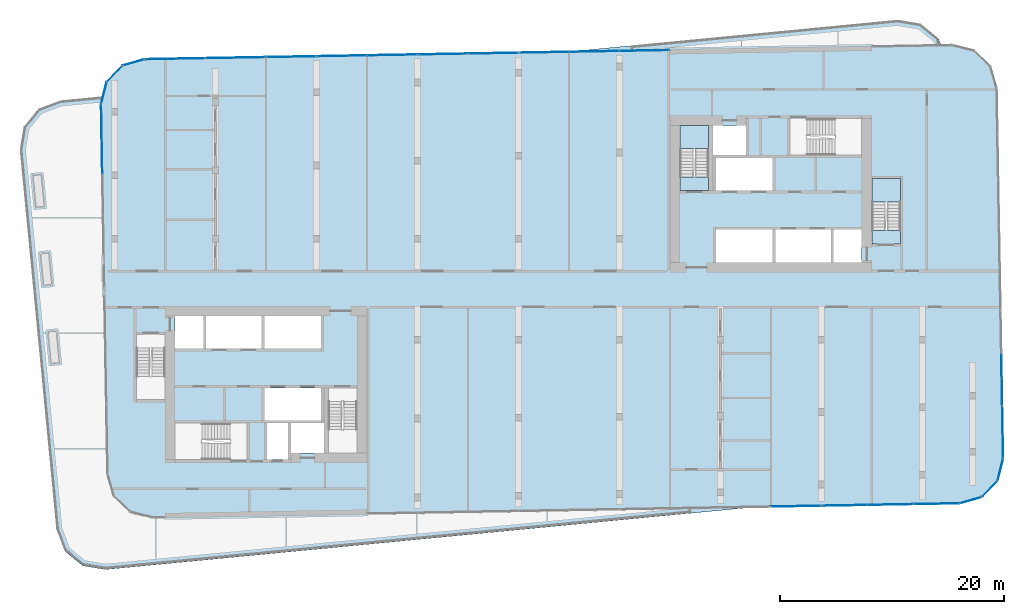
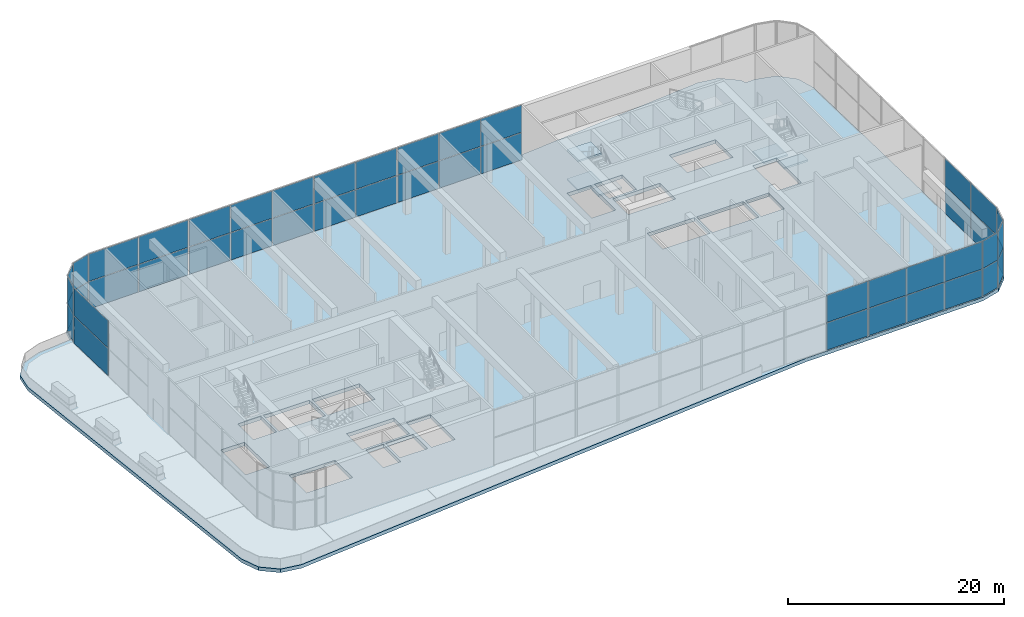
# One storey, part 10 of 24: 46 plates, 6 slabs, 16 elements without a shape of their own.
"""IFC4 building model written with IfcOpenShell, lengths in metres."""

import ifcopenshell
import ifcopenshell.guid

model = None  # the IFC model being written
_history = None  # IfcOwnerHistory: only IFC2X3 demands one
_inside = {}  # id of a spatial element -> (the spatial element, [elements in it])
_under = {}  # id of a project, library or spatial element -> (it, [spatial elements below it])
_declared = {}  # id of a project -> (the project, [libraries it declares])
_typed = {}  # id of a type object -> (the type object, [elements of that type])
_made_of = {}  # id of a material, layer set ... -> (it, [elements and type objects made of it])


def new_model(schema):
    """Start an empty IFC model of exactly this schema.

    Asked for "IFC4X3", IfcOpenShell would pick the latest addendum, in which some entities
    have other attributes; the version numbers below select the first issue.
    IFC2X3 requires an IfcOwnerHistory on every rooted entity: one is made here for all.
    """
    global model, _history
    if schema == "IFC4X3":
        model = ifcopenshell.file(schema_version=(4, 3, 0, 0))
    else:
        model = ifcopenshell.file(schema=schema)
    _inside.clear()
    _under.clear()
    _declared.clear()
    _typed.clear()
    _made_of.clear()
    _history = None
    if model.schema == "IFC2X3":
        org = make("IfcOrganization", Name="unknown")
        user = make(
            "IfcPersonAndOrganization",
            ThePerson=make("IfcPerson", FamilyName="unknown"),
            TheOrganization=org,
        )
        app = make(
            "IfcApplication",
            ApplicationDeveloper=org,
            Version="unknown",
            ApplicationFullName="unknown",
            ApplicationIdentifier="unknown",
        )
        _history = make(
            "IfcOwnerHistory",
            OwningUser=user,
            OwningApplication=app,
            ChangeAction="ADDED",
            CreationDate=0,
        )
    return model


def make(cls, **values):
    """One entity of the class cls with the attributes given. An attribute that is None is left unset."""
    return model.create_entity(
        cls, **{name: value for name, value in values.items() if value is not None}
    )


def rooted(cls, **values):
    """An entity with a GlobalId (a new one), such as an element, a storey or a relation."""
    return make(cls, GlobalId=ifcopenshell.guid.new(), OwnerHistory=_history, **values)


def si_unit(unit_type, name, prefix=None):
    """IfcSIUnit, for example si_unit("LENGTHUNIT", "METRE", prefix="MILLI")."""
    return make("IfcSIUnit", UnitType=unit_type, Prefix=prefix, Name=name)


def assignment(units):
    """IfcUnitAssignment: the units of a project."""
    return None if units is None else make("IfcUnitAssignment", Units=units)


def point(xyz):
    """IfcCartesianPoint."""
    return None if xyz is None else make("IfcCartesianPoint", Coordinates=xyz)


def direction(xyz):
    """IfcDirection."""
    return None if xyz is None else make("IfcDirection", DirectionRatios=xyz)


def frame(location, z_axis=None, x_axis=None):
    """IfcAxis2Placement3D, a coordinate frame: its origin and axes. An axis left out is left unset."""
    return make(
        "IfcAxis2Placement3D",
        Location=point(location),
        Axis=direction(z_axis),
        RefDirection=direction(x_axis),
    )


def frame_2d(location, x_axis=None):
    """IfcAxis2Placement2D, a coordinate frame in the plane: its origin and x axis."""
    return make(
        "IfcAxis2Placement2D", Location=point(location), RefDirection=direction(x_axis)
    )


def origin():
    """The frame at (0, 0, 0) with its axes left unset."""
    return frame((0.0, 0.0, 0.0))


def origin_2d():
    """The frame at (0, 0) in the plane with its x axis left unset."""
    return frame_2d((0.0, 0.0))


def place(relative_to, where):
    """IfcLocalPlacement: puts the frame where relative to a parent placement (None: the world)."""
    return make(
        "IfcLocalPlacement", PlacementRelTo=relative_to, RelativePlacement=where
    )


def context(
    kind, dimensions, precision=None, world=None, true_north=None, identifier=None
):
    """IfcGeometricRepresentationContext, for example the 3D "Model" context."""
    return make(
        "IfcGeometricRepresentationContext",
        ContextIdentifier=identifier,
        ContextType=kind,
        CoordinateSpaceDimension=dimensions,
        Precision=precision,
        WorldCoordinateSystem=world,
        TrueNorth=true_north,
    )


def subcontext(parent, identifier, kind, view, scale=None):
    """IfcGeometricRepresentationSubContext, for example "Body" below "Model"."""
    return make(
        "IfcGeometricRepresentationSubContext",
        ContextIdentifier=identifier,
        ContextType=kind,
        ParentContext=parent,
        TargetScale=scale,
        TargetView=view,
    )


def project(units=None, contexts=None):
    """IfcProject with its units and contexts."""
    return rooted(
        "IfcProject",
        Name="project",
        RepresentationContexts=contexts,
        UnitsInContext=assignment(units),
    )


def spatial(cls, under=None, at=None, **own):
    """A site, building, storey or space (cls), placed at a placement, below another one or the project."""
    s = rooted(cls, ObjectPlacement=at, **own)
    if under is not None:
        _under.setdefault(under.id(), (under, []))[1].append(s)
    return s


def polyline(points):
    """IfcPolyline through the points."""
    return make("IfcPolyline", Points=[point(p) for p in points])


def profile(cls, at=None, kind="AREA", **sizes):
    """A parametric profile (cls). Its sizes go by their IFC names, for example OverallWidth=200.0."""
    return make(cls, ProfileType=kind, Position=at, **sizes)


def rectangle(**sizes):
    """IfcRectangleProfileDef."""
    return profile("IfcRectangleProfileDef", **sizes)


def outline(outer, holes=None, kind="AREA"):
    """IfcArbitraryClosedProfileDef: a profile drawn as a closed curve; with holes, ...WithVoids."""
    if holes is None:
        return make("IfcArbitraryClosedProfileDef", ProfileType=kind, OuterCurve=outer)
    return make(
        "IfcArbitraryProfileDefWithVoids",
        ProfileType=kind,
        OuterCurve=outer,
        InnerCurves=holes,
    )


def extrude(swept, where, along, depth):
    """IfcExtrudedAreaSolid: the profile swept, set in the frame where, extruded along a direction by depth."""
    return make(
        "IfcExtrudedAreaSolid",
        SweptArea=swept,
        Position=where,
        ExtrudedDirection=direction(along),
        Depth=depth,
    )


def shape(context_of_items, identifier, shape_type, items):
    """IfcShapeRepresentation: the items that make up one representation, for example the "Body"."""
    return make(
        "IfcShapeRepresentation",
        ContextOfItems=context_of_items,
        RepresentationIdentifier=identifier,
        RepresentationType=shape_type,
        Items=items,
    )


def material(Name=None, Category=None):
    """IfcMaterial."""
    return make("IfcMaterial", Name=Name, Category=Category)


def layer(
    of_material, thickness, ventilated=None, Name=None, Category=None, Priority=None
):
    """IfcMaterialLayer: one layer of a wall or slab, of a material (None: an air gap)."""
    return make(
        "IfcMaterialLayer",
        Material=of_material,
        LayerThickness=thickness,
        IsVentilated=ventilated,
        Name=Name,
        Category=Category,
        Priority=Priority,
    )


def layer_set(layers, Name=None):
    """IfcMaterialLayerSet."""
    return make("IfcMaterialLayerSet", MaterialLayers=layers, LayerSetName=Name)


def made_of(thing, what):
    """Note that an element or type object is made of a material, layer set ...; save() writes the relation."""
    if what is not None:
        _made_of.setdefault(what.id(), (what, []))[1].append(thing)
    return thing


def type_object(cls, material=None, **own):
    """A type object (cls), such as IfcWallType, which elements share."""
    return made_of(rooted(cls, **own), material)


def element(
    cls,
    number,
    at=None,
    inside=None,
    cuts=None,
    type_object=None,
    material=None,
    context=None,
    identifier="Body",
    shape_type=None,
    held_by="IfcProductDefinitionShape",
    body=None,
    shapes=None,
    **own,
):
    """One element of the class cls, such as IfcWall. Its Tag is "e" and its number.

    at: its placement. inside: the storey or other place that contains it. cuts: it is an
    opening in that element (IfcRelVoidsElement). A single representation is given by context,
    identifier, shape_type and body (its items); several are given by shapes. held_by: the class
    of the entity that holds the representations. save() writes the other relations.
    """
    e = rooted(cls, Tag="e%d" % number, ObjectPlacement=at, **own)
    if body is not None:
        shapes = [shape(context, identifier, shape_type, body)]
    if shapes is not None:
        e.Representation = make(held_by, Representations=shapes)
    if inside is not None:
        _inside.setdefault(inside.id(), (inside, []))[1].append(e)
    if cuts is not None:
        rooted(
            "IfcRelVoidsElement", RelatingBuildingElement=cuts, RelatedOpeningElement=e
        )
    if type_object is not None:
        _typed.setdefault(type_object.id(), (type_object, []))[1].append(e)
    return made_of(e, material)


def aggregate(whole, parts):
    """IfcRelAggregates: a whole, such as a stair, and the parts it consists of."""
    return rooted("IfcRelAggregates", RelatingObject=whole, RelatedObjects=parts)


def save(model, path):
    """Write the relations noted so far, then the file.

    IfcRelAggregates (storeys below a building ...), IfcRelContainedInSpatialStructure (elements
    in a storey), IfcRelDefinesByType, IfcRelAssociatesMaterial and IfcRelDeclares: one each for
    every whole, place, type object, material and project.
    """
    for whole, parts in _under.values():
        aggregate(whole, parts)
    for where, things in _inside.values():
        rooted(
            "IfcRelContainedInSpatialStructure",
            RelatedElements=things,
            RelatingStructure=where,
        )
    for kind, things in _typed.values():
        rooted("IfcRelDefinesByType", RelatedObjects=things, RelatingType=kind)
    for what, things in _made_of.values():
        rooted("IfcRelAssociatesMaterial", RelatedObjects=things, RelatingMaterial=what)
    for by, libraries in _declared.values():
        rooted("IfcRelDeclares", RelatingContext=by, RelatedDefinitions=libraries)
    model.write(path)


model = new_model("IFC4")

# Units and contexts
model_context = context("Model", 3, precision=1e-05, world=origin(), true_north=direction((0.0, 1.0)))
body_context = subcontext(model_context, "Body", "Model", "MODEL_VIEW")
ifc_project = project(units=[si_unit("LENGTHUNIT", "METRE"), si_unit("AREAUNIT", "SQUARE_METRE"), si_unit("VOLUMEUNIT", "CUBIC_METRE"), si_unit("PLANEANGLEUNIT", "RADIAN"), si_unit("MASSUNIT", "GRAM", prefix="KILO")], contexts=[model_context])

# Site, building, storey
site_placement = place(None, origin())
site = spatial("IfcSite", under=ifc_project, at=site_placement, CompositionType="ELEMENT")
building_placement = place(site_placement, origin())
building = spatial("IfcBuilding", under=site, at=building_placement, Name="Kajstack Hotel Tower", CompositionType="ELEMENT")
storey_placement = place(building_placement, frame((0.0, 0.0, 211.10009765625)))
storey = spatial("IfcBuildingStorey", under=building, at=storey_placement, Name="L51", CompositionType="ELEMENT", Elevation=211.10009765625)

# Curtain wall, plates
ifc_material_1 = material(Name="Aluminium-framed curtain wall, low-iron insulated glass", Category="aluminium")
curtain_wall_type = type_object("IfcCurtainWallType", Name="CW-GARDEN", PredefinedType="NOTDEFINED", material=ifc_material_1)
curtain_wall_1_placement = place(storey_placement, origin())
curtain_wall_1 = element("IfcCurtainWall", 1, at=curtain_wall_1_placement, inside=storey, type_object=curtain_wall_type, Name="Curtain wall CU6 L51-00-00-0", PredefinedType="NOTDEFINED")
ifc_material_2 = material(Name="Low-iron insulated glass", Category="glass")
ifc_layer_1 = layer(ifc_material_2, 0.0400390625)
ifc_layer_set_1 = layer_set([ifc_layer_1], Name="CW-P-GARDEN")
plate_type = type_object("IfcPlateType", Name="CW-P-GARDEN", PredefinedType="CURTAIN_PANEL", material=ifc_layer_set_1)
plate_1_placement = place(storey_placement, frame((-37.15185546875, 13.35107421875, 0.06005859375), z_axis=(0.0, 0.0, 1.0), x_axis=(0.017454434026, -0.999847659763, 0.0)))
plate_1 = element("IfcPlate", 2, at=plate_1_placement, type_object=plate_type, Name="CU6 panel 1.1", PredefinedType="CURTAIN_PANEL", context=body_context, shape_type="SweptSolid", body=[
    extrude(rectangle(XDim=6.180419921875, YDim=0.0400390625, at=origin_2d()), origin(), (0.0, 0.0, 1.0), 3.070068359375),
])
plate_2_placement = place(storey_placement, frame((-37.15185546875, 13.35107421875, 3.18994140625), z_axis=(0.0, 0.0, 1.0), x_axis=(0.017454434026, -0.999847659763, 0.0)))
plate_2 = element("IfcPlate", 3, at=plate_2_placement, type_object=plate_type, Name="CU6 panel 1.2", PredefinedType="CURTAIN_PANEL", context=body_context, shape_type="SweptSolid", body=[
    extrude(rectangle(XDim=6.180419921875, YDim=0.0400390625, at=origin_2d()), origin(), (0.0, 0.0, 1.0), 3.070068359375),
])
aggregate(curtain_wall_1, [plate_1, plate_2])

curtain_wall_2_placement = place(storey_placement, origin())
curtain_wall_2 = element("IfcCurtainWall", 4, at=curtain_wall_2_placement, inside=storey, type_object=curtain_wall_type, Name="Curtain wall CU6 L51-04-02-3", PredefinedType="NOTDEFINED")
plate_3_placement = place(storey_placement, frame((24.733642578125, -19.348876953125, 0.06005859375), z_axis=(0.0, 0.0, 1.0), x_axis=(0.999847689347, 0.017452739256, 0.0)))
plate_3 = element("IfcPlate", 5, at=plate_3_placement, type_object=plate_type, Name="CU6 panel 2.1", PredefinedType="CURTAIN_PANEL", context=body_context, shape_type="SweptSolid", body=[
    extrude(rectangle(XDim=4.41064453125, YDim=0.0400390625, at=origin_2d()), origin(), (0.0, 0.0, 1.0), 3.070068359375),
])
plate_4_placement = place(storey_placement, frame((24.733642578125, -19.348876953125, 3.18994140625), z_axis=(0.0, 0.0, 1.0), x_axis=(0.999847689347, 0.017452739256, 0.0)))
plate_4 = element("IfcPlate", 6, at=plate_4_placement, type_object=plate_type, Name="CU6 panel 2.2", PredefinedType="CURTAIN_PANEL", context=body_context, shape_type="SweptSolid", body=[
    extrude(rectangle(XDim=4.41064453125, YDim=0.0400390625, at=origin_2d()), origin(), (0.0, 0.0, 1.0), 3.070068359375),
])
aggregate(curtain_wall_2, [plate_3, plate_4])

curtain_wall_3_placement = place(storey_placement, origin())
curtain_wall_3 = element("IfcCurtainWall", 7, at=curtain_wall_3_placement, inside=storey, type_object=curtain_wall_type, Name="Curtain wall CU6 L51-04-02-4", PredefinedType="NOTDEFINED")
plate_5_placement = place(storey_placement, frame((29.072509765625, -19.27294921875, 0.06005859375), z_axis=(0.0, 0.0, 1.0), x_axis=(0.999847687282, 0.017452857536, 0.0)))
plate_5 = element("IfcPlate", 8, at=plate_5_placement, type_object=plate_type, Name="CU6 panel 1.1", PredefinedType="CURTAIN_PANEL", context=body_context, shape_type="SweptSolid", body=[
    extrude(rectangle(XDim=4.028076171875, YDim=0.0400390625, at=origin_2d()), origin(), (0.0, 0.0, 1.0), 3.070068359375),
])
plate_6_placement = place(storey_placement, frame((29.072509765625, -19.27294921875, 3.18994140625), z_axis=(0.0, 0.0, 1.0), x_axis=(0.999847687282, 0.017452857536, 0.0)))
plate_6 = element("IfcPlate", 9, at=plate_6_placement, type_object=plate_type, Name="CU6 panel 1.2", PredefinedType="CURTAIN_PANEL", context=body_context, shape_type="SweptSolid", body=[
    extrude(rectangle(XDim=4.028076171875, YDim=0.0400390625, at=origin_2d()), origin(), (0.0, 0.0, 1.0), 3.070068359375),
])
plate_7_placement = place(storey_placement, frame((33.1748046875, -19.201416015625, 0.06005859375), z_axis=(0.0, 0.0, 1.0), x_axis=(0.999847687282, 0.017452857536, 0.0)))
plate_7 = element("IfcPlate", 10, at=plate_7_placement, type_object=plate_type, Name="CU6 panel 2.1", PredefinedType="CURTAIN_PANEL", context=body_context, shape_type="SweptSolid", body=[
    extrude(rectangle(XDim=4.05810546875, YDim=0.0400390625, at=origin_2d()), origin(), (0.0, 0.0, 1.0), 3.070068359375),
])
plate_8_placement = place(storey_placement, frame((33.1748046875, -19.201416015625, 3.18994140625), z_axis=(0.0, 0.0, 1.0), x_axis=(0.999847687282, 0.017452857536, 0.0)))
plate_8 = element("IfcPlate", 11, at=plate_8_placement, type_object=plate_type, Name="CU6 panel 2.2", PredefinedType="CURTAIN_PANEL", context=body_context, shape_type="SweptSolid", body=[
    extrude(rectangle(XDim=4.05810546875, YDim=0.0400390625, at=origin_2d()), origin(), (0.0, 0.0, 1.0), 3.070068359375),
])
plate_9_placement = place(storey_placement, frame((37.27734375, -19.1298828125, 0.06005859375), z_axis=(0.0, 0.0, 1.0), x_axis=(0.999847687282, 0.017452857536, 0.0)))
plate_9 = element("IfcPlate", 12, at=plate_9_placement, type_object=plate_type, Name="CU6 panel 3.1", PredefinedType="CURTAIN_PANEL", context=body_context, shape_type="SweptSolid", body=[
    extrude(rectangle(XDim=4.028076171875, YDim=0.0400390625, at=origin_2d()), origin(), (0.0, 0.0, 1.0), 3.070068359375),
])
plate_10_placement = place(storey_placement, frame((37.27734375, -19.1298828125, 3.18994140625), z_axis=(0.0, 0.0, 1.0), x_axis=(0.999847687282, 0.017452857536, 0.0)))
plate_10 = element("IfcPlate", 13, at=plate_10_placement, type_object=plate_type, Name="CU6 panel 3.2", PredefinedType="CURTAIN_PANEL", context=body_context, shape_type="SweptSolid", body=[
    extrude(rectangle(XDim=4.028076171875, YDim=0.0400390625, at=origin_2d()), origin(), (0.0, 0.0, 1.0), 3.070068359375),
])
aggregate(curtain_wall_3, [plate_5, plate_6, plate_7, plate_8, plate_9, plate_10])

curtain_wall_4_placement = place(storey_placement, origin())
curtain_wall_4 = element("IfcCurtainWall", 14, at=curtain_wall_4_placement, inside=storey, type_object=curtain_wall_type, Name="Curtain wall CU6 L51-05-00-0", PredefinedType="NOTDEFINED")
plate_11_placement = place(storey_placement, frame((40.32666015625, -18.81103515625, 0.06005859375), z_axis=(0.0, 0.0, 1.0), x_axis=(0.961262891321, 0.275633186987, 0.0)))
plate_11 = element("IfcPlate", 15, at=plate_11_placement, type_object=plate_type, Name="CU6 panel 1.1", PredefinedType="CURTAIN_PANEL", context=body_context, shape_type="SweptSolid", body=[
    extrude(rectangle(XDim=1.950439453125, YDim=0.0400390625, at=origin_2d()), origin(), (0.0, 0.0, 1.0), 3.070068359375),
])
plate_12_placement = place(storey_placement, frame((40.32666015625, -18.81103515625, 3.18994140625), z_axis=(0.0, 0.0, 1.0), x_axis=(0.961262891321, 0.275633186987, 0.0)))
plate_12 = element("IfcPlate", 16, at=plate_12_placement, type_object=plate_type, Name="CU6 panel 1.2", PredefinedType="CURTAIN_PANEL", context=body_context, shape_type="SweptSolid", body=[
    extrude(rectangle(XDim=1.950439453125, YDim=0.0400390625, at=origin_2d()), origin(), (0.0, 0.0, 1.0), 3.070068359375),
])
aggregate(curtain_wall_4, [plate_11, plate_12])

curtain_wall_5_placement = place(storey_placement, origin())
curtain_wall_5 = element("IfcCurtainWall", 17, at=curtain_wall_5_placement, inside=storey, type_object=curtain_wall_type, Name="Curtain wall CU6 L51-06-00-0", PredefinedType="NOTDEFINED")
plate_13_placement = place(storey_placement, frame((42.0078125, -17.801025390625, 0.06005859375), z_axis=(0.0, 0.0, 1.0), x_axis=(0.694660012255, 0.719338214871, 0.0)))
plate_13 = element("IfcPlate", 18, at=plate_13_placement, type_object=plate_type, Name="CU6 panel 1.1", PredefinedType="CURTAIN_PANEL", context=body_context, shape_type="SweptSolid", body=[
    extrude(rectangle(XDim=1.95068359375, YDim=0.0400390625, at=origin_2d()), origin(), (0.0, 0.0, 1.0), 3.070068359375),
])
plate_14_placement = place(storey_placement, frame((42.0078125, -17.801025390625, 3.18994140625), z_axis=(0.0, 0.0, 1.0), x_axis=(0.694660012255, 0.719338214871, 0.0)))
plate_14 = element("IfcPlate", 19, at=plate_14_placement, type_object=plate_type, Name="CU6 panel 1.2", PredefinedType="CURTAIN_PANEL", context=body_context, shape_type="SweptSolid", body=[
    extrude(rectangle(XDim=1.95068359375, YDim=0.0400390625, at=origin_2d()), origin(), (0.0, 0.0, 1.0), 3.070068359375),
])
aggregate(curtain_wall_5, [plate_13, plate_14])

curtain_wall_6_placement = place(storey_placement, origin())
curtain_wall_6 = element("IfcCurtainWall", 20, at=curtain_wall_6_placement, inside=storey, type_object=curtain_wall_type, Name="Curtain wall CU6 L51-07-00-0", PredefinedType="NOTDEFINED")
plate_15_placement = place(storey_placement, frame((42.958740234375, -16.085693359375, 0.06005859375), z_axis=(0.0, 0.0, 1.0), x_axis=(0.241921914821, 0.970295721484, 0.0)))
plate_15 = element("IfcPlate", 21, at=plate_15_placement, type_object=plate_type, Name="CU6 panel 1.1", PredefinedType="CURTAIN_PANEL", context=body_context, shape_type="SweptSolid", body=[
    extrude(rectangle(XDim=1.950439453125, YDim=0.0400390625, at=origin_2d()), origin(), (0.0, 0.0, 1.0), 3.070068359375),
])
plate_16_placement = place(storey_placement, frame((42.958740234375, -16.085693359375, 3.18994140625), z_axis=(0.0, 0.0, 1.0), x_axis=(0.241921914821, 0.970295721484, 0.0)))
plate_16 = element("IfcPlate", 22, at=plate_16_placement, type_object=plate_type, Name="CU6 panel 1.2", PredefinedType="CURTAIN_PANEL", context=body_context, shape_type="SweptSolid", body=[
    extrude(rectangle(XDim=1.950439453125, YDim=0.0400390625, at=origin_2d()), origin(), (0.0, 0.0, 1.0), 3.070068359375),
])
aggregate(curtain_wall_6, [plate_15, plate_16])

curtain_wall_7_placement = place(storey_placement, origin())
curtain_wall_7 = element("IfcCurtainWall", 23, at=curtain_wall_7_placement, inside=storey, type_object=curtain_wall_type, Name="Curtain wall CU6 L51-08-00-0", PredefinedType="NOTDEFINED")
plate_17_placement = place(storey_placement, frame((43.16552734375, -12.73583984375, 0.06005859375), z_axis=(0.0, 0.0, 1.0), x_axis=(-0.017454456869, 0.999847659364, 0.0)))
plate_17 = element("IfcPlate", 24, at=plate_17_placement, type_object=plate_type, Name="CU6 panel 1.1", PredefinedType="CURTAIN_PANEL", context=body_context, shape_type="SweptSolid", body=[
    extrude(rectangle(XDim=4.6103515625, YDim=0.0400390625, at=origin_2d()), origin(), (0.0, 0.0, 1.0), 3.070068359375),
])
plate_18_placement = place(storey_placement, frame((43.16552734375, -12.73583984375, 3.18994140625), z_axis=(0.0, 0.0, 1.0), x_axis=(-0.017454456869, 0.999847659364, 0.0)))
plate_18 = element("IfcPlate", 25, at=plate_18_placement, type_object=plate_type, Name="CU6 panel 1.2", PredefinedType="CURTAIN_PANEL", context=body_context, shape_type="SweptSolid", body=[
    extrude(rectangle(XDim=4.6103515625, YDim=0.0400390625, at=origin_2d()), origin(), (0.0, 0.0, 1.0), 3.070068359375),
])
plate_19_placement = place(storey_placement, frame((43.084228515625, -8.066162109375, 0.06005859375), z_axis=(0.0, 0.0, 1.0), x_axis=(-0.017454456869, 0.999847659364, 0.0)))
plate_19 = element("IfcPlate", 26, at=plate_19_placement, type_object=plate_type, Name="CU6 panel 2.1", PredefinedType="CURTAIN_PANEL", context=body_context, shape_type="SweptSolid", body=[
    extrude(rectangle(XDim=4.6103515625, YDim=0.0400390625, at=origin_2d()), origin(), (0.0, 0.0, 1.0), 3.070068359375),
])
plate_20_placement = place(storey_placement, frame((43.084228515625, -8.066162109375, 3.18994140625), z_axis=(0.0, 0.0, 1.0), x_axis=(-0.017454456869, 0.999847659364, 0.0)))
plate_20 = element("IfcPlate", 27, at=plate_20_placement, type_object=plate_type, Name="CU6 panel 2.2", PredefinedType="CURTAIN_PANEL", context=body_context, shape_type="SweptSolid", body=[
    extrude(rectangle(XDim=4.6103515625, YDim=0.0400390625, at=origin_2d()), origin(), (0.0, 0.0, 1.0), 3.070068359375),
])
aggregate(curtain_wall_7, [plate_17, plate_18, plate_19, plate_20])

curtain_wall_8_placement = place(storey_placement, origin())
curtain_wall_8 = element("IfcCurtainWall", 28, at=curtain_wall_8_placement, inside=storey, type_object=curtain_wall_type, Name="Curtain wall CU6 L51-12-02-0", PredefinedType="NOTDEFINED")
plate_21_placement = place(storey_placement, frame((11.236328125, 21.27197265625, 0.06005859375), z_axis=(0.0, 0.0, 1.0), x_axis=(-0.999847688723, -0.017452774977, 0.0)))
plate_21 = element("IfcPlate", 29, at=plate_21_placement, type_object=plate_type, Name="CU6 panel 1.1", PredefinedType="CURTAIN_PANEL", context=body_context, shape_type="SweptSolid", body=[
    extrude(rectangle(XDim=4.41064453125, YDim=0.0400390625, at=origin_2d()), origin(), (0.0, 0.0, 1.0), 3.070068359375),
])
plate_22_placement = place(storey_placement, frame((11.236328125, 21.27197265625, 3.18994140625), z_axis=(0.0, 0.0, 1.0), x_axis=(-0.999847688723, -0.017452774977, 0.0)))
plate_22 = element("IfcPlate", 30, at=plate_22_placement, type_object=plate_type, Name="CU6 panel 1.2", PredefinedType="CURTAIN_PANEL", context=body_context, shape_type="SweptSolid", body=[
    extrude(rectangle(XDim=4.41064453125, YDim=0.0400390625, at=origin_2d()), origin(), (0.0, 0.0, 1.0), 3.070068359375),
])
plate_23_placement = place(storey_placement, frame((6.751220703125, 21.193603515625, 0.06005859375), z_axis=(0.0, 0.0, 1.0), x_axis=(-0.999847688723, -0.017452774977, 0.0)))
plate_23 = element("IfcPlate", 31, at=plate_23_placement, type_object=plate_type, Name="CU6 panel 2.1", PredefinedType="CURTAIN_PANEL", context=body_context, shape_type="SweptSolid", body=[
    extrude(rectangle(XDim=4.440673828125, YDim=0.0400390625, at=origin_2d()), origin(), (0.0, 0.0, 1.0), 3.070068359375),
])
plate_24_placement = place(storey_placement, frame((6.751220703125, 21.193603515625, 3.18994140625), z_axis=(0.0, 0.0, 1.0), x_axis=(-0.999847688723, -0.017452774977, 0.0)))
plate_24 = element("IfcPlate", 32, at=plate_24_placement, type_object=plate_type, Name="CU6 panel 2.2", PredefinedType="CURTAIN_PANEL", context=body_context, shape_type="SweptSolid", body=[
    extrude(rectangle(XDim=4.440673828125, YDim=0.0400390625, at=origin_2d()), origin(), (0.0, 0.0, 1.0), 3.070068359375),
])
plate_25_placement = place(storey_placement, frame((2.266357421875, 21.115234375, 0.06005859375), z_axis=(0.0, 0.0, 1.0), x_axis=(-0.999847688723, -0.017452774977, 0.0)))
plate_25 = element("IfcPlate", 33, at=plate_25_placement, type_object=plate_type, Name="CU6 panel 3.1", PredefinedType="CURTAIN_PANEL", context=body_context, shape_type="SweptSolid", body=[
    extrude(rectangle(XDim=4.41064453125, YDim=0.0400390625, at=origin_2d()), origin(), (0.0, 0.0, 1.0), 3.070068359375),
])
plate_26_placement = place(storey_placement, frame((2.266357421875, 21.115234375, 3.18994140625), z_axis=(0.0, 0.0, 1.0), x_axis=(-0.999847688723, -0.017452774977, 0.0)))
plate_26 = element("IfcPlate", 34, at=plate_26_placement, type_object=plate_type, Name="CU6 panel 3.2", PredefinedType="CURTAIN_PANEL", context=body_context, shape_type="SweptSolid", body=[
    extrude(rectangle(XDim=4.41064453125, YDim=0.0400390625, at=origin_2d()), origin(), (0.0, 0.0, 1.0), 3.070068359375),
])
aggregate(curtain_wall_8, [plate_21, plate_22, plate_23, plate_24, plate_25, plate_26])

curtain_wall_9_placement = place(storey_placement, origin())
curtain_wall_9 = element("IfcCurtainWall", 35, at=curtain_wall_9_placement, inside=storey, type_object=curtain_wall_type, Name="Curtain wall CU6 L51-12-02-1", PredefinedType="NOTDEFINED")
plate_27_placement = place(storey_placement, frame((-2.263671875, 21.0361328125, 0.06005859375), z_axis=(0.0, 0.0, 1.0), x_axis=(-0.999847687442, -0.017452848375, 0.0)))
plate_27 = element("IfcPlate", 36, at=plate_27_placement, type_object=plate_type, Name="CU6 panel 1.1", PredefinedType="CURTAIN_PANEL", context=body_context, shape_type="SweptSolid", body=[
    extrude(rectangle(XDim=4.41064453125, YDim=0.0400390625, at=origin_2d()), origin(), (0.0, 0.0, 1.0), 3.070068359375),
])
plate_28_placement = place(storey_placement, frame((-2.263671875, 21.0361328125, 3.18994140625), z_axis=(0.0, 0.0, 1.0), x_axis=(-0.999847687442, -0.017452848375, 0.0)))
plate_28 = element("IfcPlate", 37, at=plate_28_placement, type_object=plate_type, Name="CU6 panel 1.2", PredefinedType="CURTAIN_PANEL", context=body_context, shape_type="SweptSolid", body=[
    extrude(rectangle(XDim=4.41064453125, YDim=0.0400390625, at=origin_2d()), origin(), (0.0, 0.0, 1.0), 3.070068359375),
])
plate_29_placement = place(storey_placement, frame((-6.733642578125, 20.958251953125, 0.06005859375), z_axis=(0.0, 0.0, 1.0), x_axis=(-0.999847687442, -0.017452848375, 0.0)))
plate_29 = element("IfcPlate", 38, at=plate_29_placement, type_object=plate_type, Name="CU6 panel 2.1", PredefinedType="CURTAIN_PANEL", context=body_context, shape_type="SweptSolid", body=[
    extrude(rectangle(XDim=4.41064453125, YDim=0.0400390625, at=origin_2d()), origin(), (0.0, 0.0, 1.0), 3.070068359375),
])
plate_30_placement = place(storey_placement, frame((-6.733642578125, 20.958251953125, 3.18994140625), z_axis=(0.0, 0.0, 1.0), x_axis=(-0.999847687442, -0.017452848375, 0.0)))
plate_30 = element("IfcPlate", 39, at=plate_30_placement, type_object=plate_type, Name="CU6 panel 2.2", PredefinedType="CURTAIN_PANEL", context=body_context, shape_type="SweptSolid", body=[
    extrude(rectangle(XDim=4.41064453125, YDim=0.0400390625, at=origin_2d()), origin(), (0.0, 0.0, 1.0), 3.070068359375),
])
aggregate(curtain_wall_9, [plate_27, plate_28, plate_29, plate_30])

curtain_wall_10_placement = place(storey_placement, origin())
curtain_wall_10 = element("IfcCurtainWall", 40, at=curtain_wall_10_placement, inside=storey, type_object=curtain_wall_type, Name="Curtain wall CU6 L51-12-02-2", PredefinedType="NOTDEFINED")
plate_31_placement = place(storey_placement, frame((-11.263671875, 20.879150390625, 0.06005859375), z_axis=(0.0, 0.0, 1.0), x_axis=(-0.999847689052, -0.017452756148, 0.0)))
plate_31 = element("IfcPlate", 41, at=plate_31_placement, type_object=plate_type, Name="CU6 panel 1.1", PredefinedType="CURTAIN_PANEL", context=body_context, shape_type="SweptSolid", body=[
    extrude(rectangle(XDim=4.41064453125, YDim=0.0400390625, at=origin_2d()), origin(), (0.0, 0.0, 1.0), 3.070068359375),
])
plate_32_placement = place(storey_placement, frame((-11.263671875, 20.879150390625, 3.18994140625), z_axis=(0.0, 0.0, 1.0), x_axis=(-0.999847689052, -0.017452756148, 0.0)))
plate_32 = element("IfcPlate", 42, at=plate_32_placement, type_object=plate_type, Name="CU6 panel 1.2", PredefinedType="CURTAIN_PANEL", context=body_context, shape_type="SweptSolid", body=[
    extrude(rectangle(XDim=4.41064453125, YDim=0.0400390625, at=origin_2d()), origin(), (0.0, 0.0, 1.0), 3.070068359375),
])
plate_33_placement = place(storey_placement, frame((-15.748779296875, 20.80078125, 0.06005859375), z_axis=(0.0, 0.0, 1.0), x_axis=(-0.999847689052, -0.017452756148, 0.0)))
plate_33 = element("IfcPlate", 43, at=plate_33_placement, type_object=plate_type, Name="CU6 panel 2.1", PredefinedType="CURTAIN_PANEL", context=body_context, shape_type="SweptSolid", body=[
    extrude(rectangle(XDim=4.440673828125, YDim=0.0400390625, at=origin_2d()), origin(), (0.0, 0.0, 1.0), 3.070068359375),
])
plate_34_placement = place(storey_placement, frame((-15.748779296875, 20.80078125, 3.18994140625), z_axis=(0.0, 0.0, 1.0), x_axis=(-0.999847689052, -0.017452756148, 0.0)))
plate_34 = element("IfcPlate", 44, at=plate_34_placement, type_object=plate_type, Name="CU6 panel 2.2", PredefinedType="CURTAIN_PANEL", context=body_context, shape_type="SweptSolid", body=[
    extrude(rectangle(XDim=4.440673828125, YDim=0.0400390625, at=origin_2d()), origin(), (0.0, 0.0, 1.0), 3.070068359375),
])
plate_35_placement = place(storey_placement, frame((-20.233642578125, 20.72265625, 0.06005859375), z_axis=(0.0, 0.0, 1.0), x_axis=(-0.999847689052, -0.017452756148, 0.0)))
plate_35 = element("IfcPlate", 45, at=plate_35_placement, type_object=plate_type, Name="CU6 panel 3.1", PredefinedType="CURTAIN_PANEL", context=body_context, shape_type="SweptSolid", body=[
    extrude(rectangle(XDim=4.41064453125, YDim=0.0400390625, at=origin_2d()), origin(), (0.0, 0.0, 1.0), 3.070068359375),
])
plate_36_placement = place(storey_placement, frame((-20.233642578125, 20.72265625, 3.18994140625), z_axis=(0.0, 0.0, 1.0), x_axis=(-0.999847689052, -0.017452756148, 0.0)))
plate_36 = element("IfcPlate", 46, at=plate_36_placement, type_object=plate_type, Name="CU6 panel 3.2", PredefinedType="CURTAIN_PANEL", context=body_context, shape_type="SweptSolid", body=[
    extrude(rectangle(XDim=4.41064453125, YDim=0.0400390625, at=origin_2d()), origin(), (0.0, 0.0, 1.0), 3.070068359375),
])
aggregate(curtain_wall_10, [plate_31, plate_32, plate_33, plate_34, plate_35, plate_36])

curtain_wall_11_placement = place(storey_placement, origin())
curtain_wall_11 = element("IfcCurtainWall", 47, at=curtain_wall_11_placement, inside=storey, type_object=curtain_wall_type, Name="Curtain wall CU6 L51-12-02-3", PredefinedType="NOTDEFINED")
plate_37_placement = place(storey_placement, frame((-25.226806640625, 20.635498046875, 0.06005859375), z_axis=(0.0, 0.0, 1.0), x_axis=(-0.999847687655, -0.017452836177, 0.0)))
plate_37 = element("IfcPlate", 48, at=plate_37_placement, type_object=plate_type, Name="CU6 panel 1.1", PredefinedType="CURTAIN_PANEL", context=body_context, shape_type="SweptSolid", body=[
    extrude(rectangle(XDim=5.3369140625, YDim=0.0400390625, at=origin_2d()), origin(), (0.0, 0.0, 1.0), 3.070068359375),
])
plate_38_placement = place(storey_placement, frame((-25.226806640625, 20.635498046875, 3.18994140625), z_axis=(0.0, 0.0, 1.0), x_axis=(-0.999847687655, -0.017452836177, 0.0)))
plate_38 = element("IfcPlate", 49, at=plate_38_placement, type_object=plate_type, Name="CU6 panel 1.2", PredefinedType="CURTAIN_PANEL", context=body_context, shape_type="SweptSolid", body=[
    extrude(rectangle(XDim=5.3369140625, YDim=0.0400390625, at=origin_2d()), origin(), (0.0, 0.0, 1.0), 3.070068359375),
])
plate_39_placement = place(storey_placement, frame((-30.622802734375, 20.541259765625, 0.06005859375), z_axis=(0.0, 0.0, 1.0), x_axis=(-0.999847687655, -0.017452836177, 0.0)))
plate_39 = element("IfcPlate", 50, at=plate_39_placement, type_object=plate_type, Name="CU6 panel 2.1", PredefinedType="CURTAIN_PANEL", context=body_context, shape_type="SweptSolid", body=[
    extrude(rectangle(XDim=5.3369140625, YDim=0.0400390625, at=origin_2d()), origin(), (0.0, 0.0, 1.0), 3.070068359375),
])
plate_40_placement = place(storey_placement, frame((-30.622802734375, 20.541259765625, 3.18994140625), z_axis=(0.0, 0.0, 1.0), x_axis=(-0.999847687655, -0.017452836177, 0.0)))
plate_40 = element("IfcPlate", 51, at=plate_40_placement, type_object=plate_type, Name="CU6 panel 2.2", PredefinedType="CURTAIN_PANEL", context=body_context, shape_type="SweptSolid", body=[
    extrude(rectangle(XDim=5.3369140625, YDim=0.0400390625, at=origin_2d()), origin(), (0.0, 0.0, 1.0), 3.070068359375),
])
aggregate(curtain_wall_11, [plate_37, plate_38, plate_39, plate_40])

curtain_wall_12_placement = place(storey_placement, origin())
curtain_wall_12 = element("IfcCurtainWall", 52, at=curtain_wall_12_placement, inside=storey, type_object=curtain_wall_type, Name="Curtain wall CU6 L51-13-00-0", PredefinedType="NOTDEFINED")
plate_41_placement = place(storey_placement, frame((-34.32666015625, 20.211181640625, 0.06005859375), z_axis=(0.0, 0.0, 1.0), x_axis=(-0.961262891321, -0.275633186987, 0.0)))
plate_41 = element("IfcPlate", 53, at=plate_41_placement, type_object=plate_type, Name="CU6 panel 1.1", PredefinedType="CURTAIN_PANEL", context=body_context, shape_type="SweptSolid", body=[
    extrude(rectangle(XDim=1.950439453125, YDim=0.0400390625, at=origin_2d()), origin(), (0.0, 0.0, 1.0), 3.070068359375),
])
plate_42_placement = place(storey_placement, frame((-34.32666015625, 20.211181640625, 3.18994140625), z_axis=(0.0, 0.0, 1.0), x_axis=(-0.961262891321, -0.275633186987, 0.0)))
plate_42 = element("IfcPlate", 54, at=plate_42_placement, type_object=plate_type, Name="CU6 panel 1.2", PredefinedType="CURTAIN_PANEL", context=body_context, shape_type="SweptSolid", body=[
    extrude(rectangle(XDim=1.950439453125, YDim=0.0400390625, at=origin_2d()), origin(), (0.0, 0.0, 1.0), 3.070068359375),
])
aggregate(curtain_wall_12, [plate_41, plate_42])

curtain_wall_13_placement = place(storey_placement, origin())
curtain_wall_13 = element("IfcCurtainWall", 55, at=curtain_wall_13_placement, inside=storey, type_object=curtain_wall_type, Name="Curtain wall CU6 L51-14-00-0", PredefinedType="NOTDEFINED")
plate_43_placement = place(storey_placement, frame((-36.0078125, 19.201171875, 0.06005859375), z_axis=(0.0, 0.0, 1.0), x_axis=(-0.694660012255, -0.719338214871, 0.0)))
plate_43 = element("IfcPlate", 56, at=plate_43_placement, type_object=plate_type, Name="CU6 panel 1.1", PredefinedType="CURTAIN_PANEL", context=body_context, shape_type="SweptSolid", body=[
    extrude(rectangle(XDim=1.95068359375, YDim=0.0400390625, at=origin_2d()), origin(), (0.0, 0.0, 1.0), 3.070068359375),
])
plate_44_placement = place(storey_placement, frame((-36.0078125, 19.201171875, 3.18994140625), z_axis=(0.0, 0.0, 1.0), x_axis=(-0.694660012255, -0.719338214871, 0.0)))
plate_44 = element("IfcPlate", 57, at=plate_44_placement, type_object=plate_type, Name="CU6 panel 1.2", PredefinedType="CURTAIN_PANEL", context=body_context, shape_type="SweptSolid", body=[
    extrude(rectangle(XDim=1.95068359375, YDim=0.0400390625, at=origin_2d()), origin(), (0.0, 0.0, 1.0), 3.070068359375),
])
aggregate(curtain_wall_13, [plate_43, plate_44])

curtain_wall_14_placement = place(storey_placement, origin())
curtain_wall_14 = element("IfcCurtainWall", 58, at=curtain_wall_14_placement, inside=storey, type_object=curtain_wall_type, Name="Curtain wall CU6 L51-15-00-0", PredefinedType="NOTDEFINED")
plate_45_placement = place(storey_placement, frame((-36.958740234375, 17.48583984375, 0.06005859375), z_axis=(0.0, 0.0, 1.0), x_axis=(-0.241921914821, -0.970295721484, 0.0)))
plate_45 = element("IfcPlate", 59, at=plate_45_placement, type_object=plate_type, Name="CU6 panel 1.1", PredefinedType="CURTAIN_PANEL", context=body_context, shape_type="SweptSolid", body=[
    extrude(rectangle(XDim=1.950439453125, YDim=0.0400390625, at=origin_2d()), origin(), (0.0, 0.0, 1.0), 3.070068359375),
])
plate_46_placement = place(storey_placement, frame((-36.958740234375, 17.48583984375, 3.18994140625), z_axis=(0.0, 0.0, 1.0), x_axis=(-0.241921914821, -0.970295721484, 0.0)))
plate_46 = element("IfcPlate", 60, at=plate_46_placement, type_object=plate_type, Name="CU6 panel 1.2", PredefinedType="CURTAIN_PANEL", context=body_context, shape_type="SweptSolid", body=[
    extrude(rectangle(XDim=1.950439453125, YDim=0.0400390625, at=origin_2d()), origin(), (0.0, 0.0, 1.0), 3.070068359375),
])
aggregate(curtain_wall_14, [plate_45, plate_46])

# Slab
ifc_material_3 = material(Name="Concrete C50/60", Category="concrete")
ifc_layer_2 = layer(ifc_material_3, 0.39990234375)
ifc_layer_set_2 = layer_set([ifc_layer_2], Name="RC slab 400 C50/60 garden")
slab_type_1 = type_object("IfcSlabType", Name="RC slab 400 C50/60 garden", PredefinedType="FLOOR", material=ifc_layer_set_2)
slab_1_placement = place(storey_placement, frame((0.0, 0.0, -0.400146484375)))
element("IfcSlab", 61, at=slab_1_placement, inside=storey, type_object=slab_type_1, Name="S-slab-L51", PredefinedType="FLOOR", context=body_context, shape_type="SweptSolid", body=[
    extrude(outline(polyline([(-36.814697265625, -24.99755859375), (-38.856689453125, -24.65576171875), (-40.454345703125, -23.3388671875), (-41.1796875, -21.3994140625), (-44.438232421875, 12.444091796875), (-44.0966796875, 14.486328125), (-42.779541015625, 16.083984375), (-40.840087890625, 16.80908203125), (-37.115234375, 17.167724609375), (-36.781005859375, 18.50830078125), (-35.342529296875, 19.997802734375), (-33.352294921875, 20.568603515625), (5.191162109375, 21.241455078125), (33.814697265625, 23.99755859375), (35.856689453125, 23.65576171875), (37.454345703125, 22.3388671875), (37.65283203125, 21.80810546875), (38.63671875, 21.8251953125), (40.645751953125, 21.32421875), (42.13525390625, 19.885986328125), (42.705810546875, 17.8955078125), (43.281982421875, -15.099365234375), (42.781005859375, -17.1083984375), (41.342529296875, -18.597900390625), (39.352294921875, -19.168701171875), (20.260009765625, -19.501953125), (-36.814697265625, -24.99755859375)]), holes=[polyline([(-22.64990234375, -11.699951171875), (-22.64990234375, -8.800048828125), (-17.60009765625, -8.800048828125), (-17.60009765625, -11.699951171875), (-22.64990234375, -11.699951171875)]), polyline([(-27.85009765625, -5.300048828125), (-27.85009765625, -2.39990234375), (-22.89990234375, -2.39990234375), (-22.89990234375, -5.300048828125), (-27.85009765625, -5.300048828125)]), polyline([(-22.64990234375, -5.300048828125), (-22.64990234375, -2.39990234375), (-17.60009765625, -2.39990234375), (-17.60009765625, -5.300048828125), (-22.64990234375, -5.300048828125)]), polyline([(-20.300048828125, -14.60009765625), (-17.35009765625, -14.60009765625), (-17.35009765625, -11.949951171875), (-20.300048828125, -11.949951171875), (-20.300048828125, -14.60009765625)]), polyline([(-30.60009765625, -5.300048828125), (-28.10009765625, -5.300048828125), (-28.10009765625, -2.39990234375), (-30.60009765625, -2.39990234375), (-30.60009765625, -5.300048828125)]), polyline([(17.60009765625, 8.800048828125), (17.60009765625, 11.699951171875), (22.64990234375, 11.699951171875), (22.64990234375, 8.800048828125), (17.60009765625, 8.800048828125)]), polyline([(22.89990234375, 2.39990234375), (22.89990234375, 5.300048828125), (27.85009765625, 5.300048828125), (27.85009765625, 2.39990234375), (22.89990234375, 2.39990234375)]), polyline([(17.60009765625, 2.39990234375), (17.60009765625, 5.300048828125), (22.64990234375, 5.300048828125), (22.64990234375, 2.39990234375), (17.60009765625, 2.39990234375)]), polyline([(20.300048828125, 14.60009765625), (17.35009765625, 14.60009765625), (17.35009765625, 11.949951171875), (20.300048828125, 11.949951171875), (20.300048828125, 14.60009765625)]), polyline([(30.60009765625, 5.300048828125), (28.10009765625, 5.300048828125), (28.10009765625, 2.39990234375), (30.60009765625, 2.39990234375), (30.60009765625, 5.300048828125)]), polyline([(-34.050048828125, -9.85009765625), (-31.5, -9.85009765625), (-31.5, -5.25), (-34.050048828125, -5.25), (-34.050048828125, -9.85009765625)]), polyline([(-16.949951171875, -14.60009765625), (-14.39990234375, -14.60009765625), (-14.39990234375, -10.0), (-16.949951171875, -10.0), (-16.949951171875, -14.60009765625)]), polyline([(-30.60009765625, -15.199951171875), (-25.699951171875, -15.199951171875), (-25.699951171875, -11.949951171875), (-30.60009765625, -11.949951171875), (-30.60009765625, -15.199951171875)]), polyline([(34.050048828125, 9.85009765625), (31.5, 9.85009765625), (31.5, 5.25), (34.050048828125, 5.25), (34.050048828125, 9.85009765625)]), polyline([(16.949951171875, 14.60009765625), (14.39990234375, 14.60009765625), (14.39990234375, 10.0), (16.949951171875, 10.0), (16.949951171875, 14.60009765625)]), polyline([(30.60009765625, 15.199951171875), (25.699951171875, 15.199951171875), (25.699951171875, 11.949951171875), (30.60009765625, 11.949951171875), (30.60009765625, 15.199951171875)]), polyline([(-22.425048828125, -15.199951171875), (-22.425048828125, -11.949951171875), (-20.550048828125, -11.949951171875), (-20.550048828125, -15.199951171875), (-22.425048828125, -15.199951171875)])]), origin(), (0.0, 0.0, 1.0), 0.400146484375),
])

# Stair, slabs
ifc_material_4 = material(Name="Concrete C40/50", Category="concrete")
stair_type = type_object("IfcStairType", Name="Exit stair 1200", PredefinedType="HALF_TURN_STAIR", material=ifc_material_4)
stair_1_placement = place(storey_placement, origin())
stair_1 = element("IfcStair", 62, at=stair_1_placement, inside=storey, type_object=stair_type, Name="L51 stair E1", PredefinedType="HALF_TURN_STAIR")
ifc_layer_3 = layer(ifc_material_4, 0.199951171875)
ifc_layer_set_3 = layer_set([ifc_layer_3], Name="Stair landing 200")
slab_type_2 = type_object("IfcSlabType", Name="Stair landing 200", PredefinedType="LANDING", material=ifc_layer_set_3)
slab_2_placement = place(storey_placement, frame((0.0, 0.0, 1.449951171875)))
slab_2 = element("IfcSlab", 63, at=slab_2_placement, type_object=slab_type_2, Name="E1 landing 1", PredefinedType="LANDING", context=body_context, shape_type="SweptSolid", body=[
    extrude(outline(polyline([(34.050048828125, 7.77001953125), (34.050048828125, 9.85009765625), (31.5, 9.85009765625), (31.5, 7.77001953125), (34.050048828125, 7.77001953125)])), origin(), (0.0, 0.0, 1.0), 0.199951171875),
])
slab_3_placement = place(storey_placement, frame((0.0, 0.0, 3.099853515625)))
slab_3 = element("IfcSlab", 64, at=slab_3_placement, type_object=slab_type_2, Name="E1 landing 2", PredefinedType="LANDING", context=body_context, shape_type="SweptSolid", body=[
    extrude(outline(polyline([(34.050048828125, 4.050048828125), (34.050048828125, 5.25), (31.5, 5.25), (31.5, 4.050048828125), (34.050048828125, 4.050048828125)])), origin(), (0.0, 0.0, 1.0), 0.199951171875),
])
aggregate(stair_1, [slab_2, slab_3])

stair_2_placement = place(storey_placement, origin())
stair_2 = element("IfcStair", 65, at=stair_2_placement, inside=storey, type_object=stair_type, Name="L51 stair E2", PredefinedType="HALF_TURN_STAIR")
slab_4_placement = place(storey_placement, frame((0.0, 0.0, 1.449951171875)))
slab_4 = element("IfcSlab", 66, at=slab_4_placement, type_object=slab_type_2, Name="E2 landing 1", PredefinedType="LANDING", context=body_context, shape_type="SweptSolid", body=[
    extrude(outline(polyline([(16.949951171875, 12.52001953125), (16.949951171875, 14.60009765625), (14.39990234375, 14.60009765625), (14.39990234375, 12.52001953125), (16.949951171875, 12.52001953125)])), origin(), (0.0, 0.0, 1.0), 0.199951171875),
])
slab_5_placement = place(storey_placement, frame((0.0, 0.0, 3.099853515625)))
slab_5 = element("IfcSlab", 67, at=slab_5_placement, type_object=slab_type_2, Name="E2 landing 2", PredefinedType="LANDING", context=body_context, shape_type="SweptSolid", body=[
    extrude(outline(polyline([(16.949951171875, 8.800048828125), (16.949951171875, 10.0), (14.39990234375, 10.0), (14.39990234375, 8.800048828125), (16.949951171875, 8.800048828125)])), origin(), (0.0, 0.0, 1.0), 0.199951171875),
])
slab_6_placement = place(storey_placement, frame((0.0, 0.0, 4.75)))
slab_6 = element("IfcSlab", 68, at=slab_6_placement, type_object=slab_type_2, Name="E2 landing 3", PredefinedType="LANDING", context=body_context, shape_type="SweptSolid", body=[
    extrude(outline(polyline([(16.949951171875, 12.52001953125), (16.949951171875, 14.60009765625), (14.39990234375, 14.60009765625), (14.39990234375, 12.52001953125), (16.949951171875, 12.52001953125)])), origin(), (0.0, 0.0, 1.0), 0.199951171875),
])
aggregate(stair_2, [slab_4, slab_5, slab_6])

save(model, "model.ifc")
